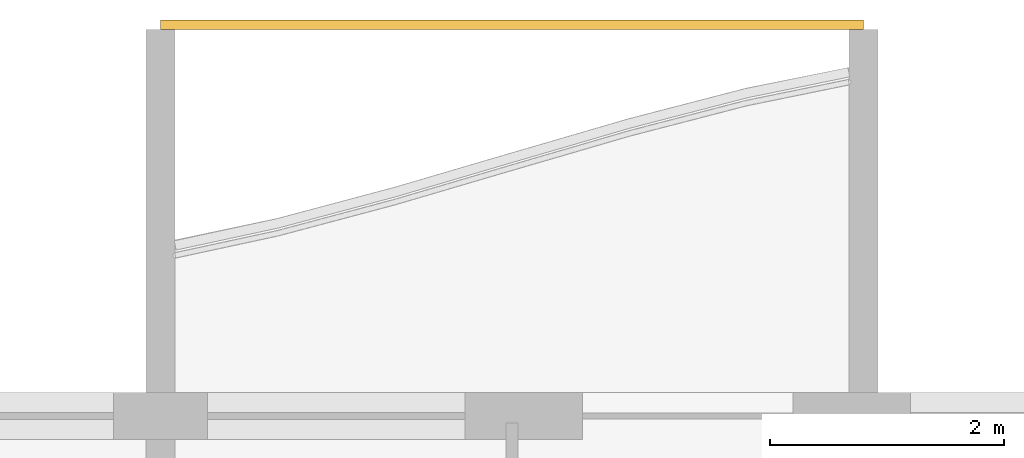
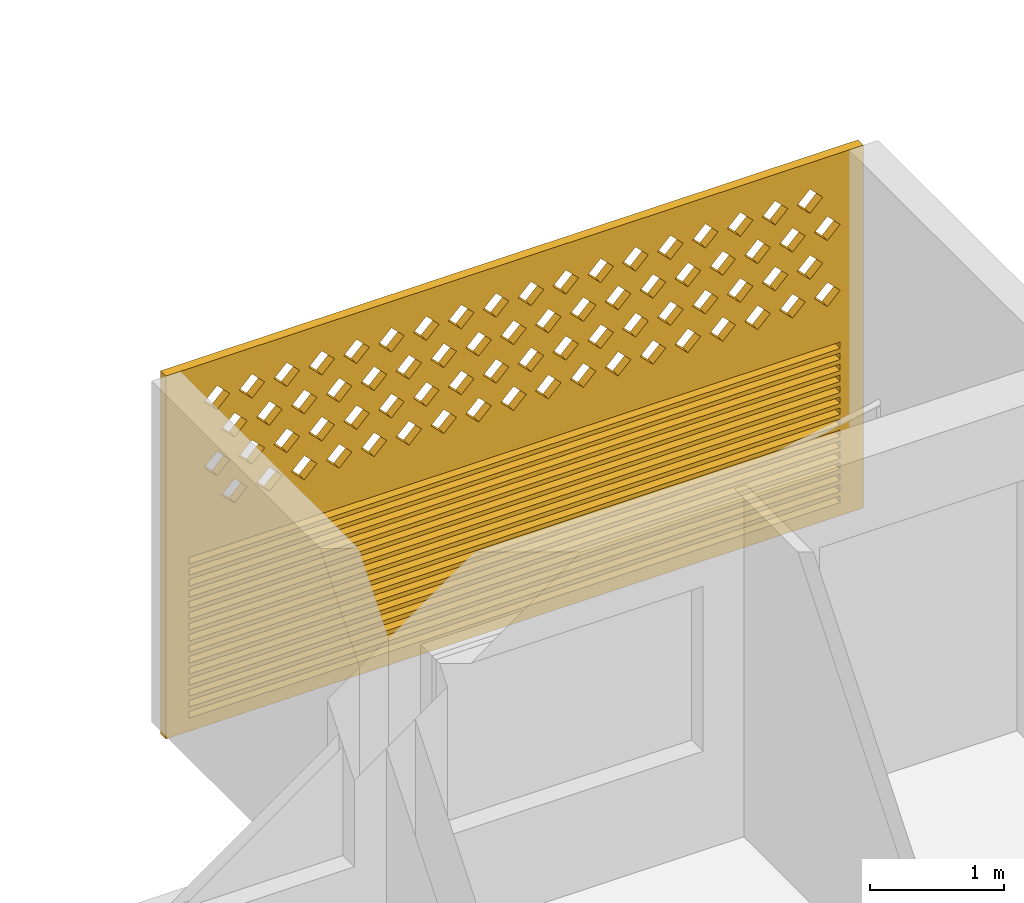
# One storey, part 20 of 26: 1 covering.
"""IFC4 building model written with IfcOpenShell, lengths in metres."""

from ifc_helpers import new_model, si_unit, direction, frame, origin, place, context, subcontext, project, spatial, polyline, outline, extrude, source, transform, mapped, material, material_profile, profile_set, type_object, element, save


model = new_model("IFC4")

# Units and contexts
model_context = context("Model", 3, precision=1e-05, world=origin(), true_north=direction((0.0, 1.0)))
body_context = subcontext(model_context, "Body", "Model", "MODEL_VIEW")
ifc_project = project(units=[si_unit("LENGTHUNIT", "METRE"), si_unit("AREAUNIT", "SQUARE_METRE"), si_unit("VOLUMEUNIT", "CUBIC_METRE"), si_unit("PLANEANGLEUNIT", "RADIAN"), si_unit("MASSUNIT", "GRAM", prefix="KILO")], contexts=[model_context])

# Site, building, storey
site_placement = place(None, origin())
site = spatial("IfcSite", under=ifc_project, at=site_placement, CompositionType="ELEMENT")
building_placement = place(site_placement, origin())
building = spatial("IfcBuilding", under=site, at=building_placement, Name="Poui Terraces", CompositionType="ELEMENT")
storey_placement = place(building_placement, frame((0.0, 0.0, 228.0)))
storey = spatial("IfcBuildingStorey", under=building, at=storey_placement, Name="L63", CompositionType="ELEMENT", Elevation=228.0)

# Covering
ifc_material = material(Name="Terracotta screen", Category="masonry")
ifc_material_profile = material_profile(ifc_material, outline(polyline([(-3.0, -1.64990234375), (3.0, -1.64990234375), (3.0, 1.64990234375), (-3.0, 1.64990234375), (-3.0, -1.64990234375)]), holes=[polyline([(-2.800048828125, 0.39990234375), (-2.68994140625, 0.2900390625), (-2.580078125, 0.39990234375), (-2.68994140625, 0.510009765625), (-2.800048828125, 0.39990234375)]), polyline([(-2.5, 0.39990234375), (-2.389892578125, 0.2900390625), (-2.280029296875, 0.39990234375), (-2.389892578125, 0.510009765625), (-2.5, 0.39990234375)]), polyline([(-2.199951171875, 0.39990234375), (-2.090087890625, 0.2900390625), (-1.97998046875, 0.39990234375), (-2.090087890625, 0.510009765625), (-2.199951171875, 0.39990234375)]), polyline([(-1.89990234375, 0.39990234375), (-1.7900390625, 0.2900390625), (-1.679931640625, 0.39990234375), (-1.7900390625, 0.510009765625), (-1.89990234375, 0.39990234375)]), polyline([(-1.60009765625, 0.39990234375), (-1.489990234375, 0.2900390625), (-1.3798828125, 0.39990234375), (-1.489990234375, 0.510009765625), (-1.60009765625, 0.39990234375)]), polyline([(-1.300048828125, 0.39990234375), (-1.18994140625, 0.2900390625), (-1.080078125, 0.39990234375), (-1.18994140625, 0.510009765625), (-1.300048828125, 0.39990234375)]), polyline([(-1.0, 0.39990234375), (-0.889892578125, 0.2900390625), (-0.780029296875, 0.39990234375), (-0.889892578125, 0.510009765625), (-1.0, 0.39990234375)]), polyline([(-0.699951171875, 0.39990234375), (-0.590087890625, 0.2900390625), (-0.47998046875, 0.39990234375), (-0.590087890625, 0.510009765625), (-0.699951171875, 0.39990234375)]), polyline([(-0.39990234375, 0.39990234375), (-0.2900390625, 0.2900390625), (-0.179931640625, 0.39990234375), (-0.2900390625, 0.510009765625), (-0.39990234375, 0.39990234375)]), polyline([(-0.10009765625, 0.39990234375), (0.010009765625, 0.2900390625), (0.1201171875, 0.39990234375), (0.010009765625, 0.510009765625), (-0.10009765625, 0.39990234375)]), polyline([(0.199951171875, 0.39990234375), (0.31005859375, 0.2900390625), (0.419921875, 0.39990234375), (0.31005859375, 0.510009765625), (0.199951171875, 0.39990234375)]), polyline([(0.5, 0.39990234375), (0.610107421875, 0.2900390625), (0.719970703125, 0.39990234375), (0.610107421875, 0.510009765625), (0.5, 0.39990234375)]), polyline([(0.800048828125, 0.39990234375), (0.909912109375, 0.2900390625), (1.02001953125, 0.39990234375), (0.909912109375, 0.510009765625), (0.800048828125, 0.39990234375)]), polyline([(1.10009765625, 0.39990234375), (1.2099609375, 0.2900390625), (1.320068359375, 0.39990234375), (1.2099609375, 0.510009765625), (1.10009765625, 0.39990234375)]), polyline([(1.39990234375, 0.39990234375), (1.510009765625, 0.2900390625), (1.6201171875, 0.39990234375), (1.510009765625, 0.510009765625), (1.39990234375, 0.39990234375)]), polyline([(1.699951171875, 0.39990234375), (1.81005859375, 0.2900390625), (1.919921875, 0.39990234375), (1.81005859375, 0.510009765625), (1.699951171875, 0.39990234375)]), polyline([(2.0, 0.39990234375), (2.110107421875, 0.2900390625), (2.219970703125, 0.39990234375), (2.110107421875, 0.510009765625), (2.0, 0.39990234375)]), polyline([(2.300048828125, 0.39990234375), (2.409912109375, 0.2900390625), (2.52001953125, 0.39990234375), (2.409912109375, 0.510009765625), (2.300048828125, 0.39990234375)]), polyline([(-2.64990234375, 0.699951171875), (-2.5400390625, 0.590087890625), (-2.429931640625, 0.699951171875), (-2.5400390625, 0.81005859375), (-2.64990234375, 0.699951171875)]), polyline([(-2.35009765625, 0.699951171875), (-2.239990234375, 0.590087890625), (-2.1298828125, 0.699951171875), (-2.239990234375, 0.81005859375), (-2.35009765625, 0.699951171875)]), polyline([(-2.050048828125, 0.699951171875), (-1.93994140625, 0.590087890625), (-1.830078125, 0.699951171875), (-1.93994140625, 0.81005859375), (-2.050048828125, 0.699951171875)]), polyline([(-1.75, 0.699951171875), (-1.639892578125, 0.590087890625), (-1.530029296875, 0.699951171875), (-1.639892578125, 0.81005859375), (-1.75, 0.699951171875)]), polyline([(-1.449951171875, 0.699951171875), (-1.340087890625, 0.590087890625), (-1.22998046875, 0.699951171875), (-1.340087890625, 0.81005859375), (-1.449951171875, 0.699951171875)]), polyline([(-1.14990234375, 0.699951171875), (-1.0400390625, 0.590087890625), (-0.929931640625, 0.699951171875), (-1.0400390625, 0.81005859375), (-1.14990234375, 0.699951171875)]), polyline([(-0.85009765625, 0.699951171875), (-0.739990234375, 0.590087890625), (-0.6298828125, 0.699951171875), (-0.739990234375, 0.81005859375), (-0.85009765625, 0.699951171875)]), polyline([(-0.550048828125, 0.699951171875), (-0.43994140625, 0.590087890625), (-0.330078125, 0.699951171875), (-0.43994140625, 0.81005859375), (-0.550048828125, 0.699951171875)]), polyline([(-0.25, 0.699951171875), (-0.139892578125, 0.590087890625), (-0.030029296875, 0.699951171875), (-0.139892578125, 0.81005859375), (-0.25, 0.699951171875)]), polyline([(0.050048828125, 0.699951171875), (0.159912109375, 0.590087890625), (0.27001953125, 0.699951171875), (0.159912109375, 0.81005859375), (0.050048828125, 0.699951171875)]), polyline([(0.35009765625, 0.699951171875), (0.4599609375, 0.590087890625), (0.570068359375, 0.699951171875), (0.4599609375, 0.81005859375), (0.35009765625, 0.699951171875)]), polyline([(0.64990234375, 0.699951171875), (0.760009765625, 0.590087890625), (0.8701171875, 0.699951171875), (0.760009765625, 0.81005859375), (0.64990234375, 0.699951171875)]), polyline([(0.949951171875, 0.699951171875), (1.06005859375, 0.590087890625), (1.169921875, 0.699951171875), (1.06005859375, 0.81005859375), (0.949951171875, 0.699951171875)]), polyline([(1.25, 0.699951171875), (1.360107421875, 0.590087890625), (1.469970703125, 0.699951171875), (1.360107421875, 0.81005859375), (1.25, 0.699951171875)]), polyline([(1.550048828125, 0.699951171875), (1.659912109375, 0.590087890625), (1.77001953125, 0.699951171875), (1.659912109375, 0.81005859375), (1.550048828125, 0.699951171875)]), polyline([(1.85009765625, 0.699951171875), (1.9599609375, 0.590087890625), (2.070068359375, 0.699951171875), (1.9599609375, 0.81005859375), (1.85009765625, 0.699951171875)]), polyline([(2.14990234375, 0.699951171875), (2.260009765625, 0.590087890625), (2.3701171875, 0.699951171875), (2.260009765625, 0.81005859375), (2.14990234375, 0.699951171875)]), polyline([(2.449951171875, 0.699951171875), (2.56005859375, 0.590087890625), (2.669921875, 0.699951171875), (2.56005859375, 0.81005859375), (2.449951171875, 0.699951171875)]), polyline([(-2.800048828125, 1.0), (-2.68994140625, 0.889892578125), (-2.580078125, 1.0), (-2.68994140625, 1.110107421875), (-2.800048828125, 1.0)]), polyline([(-2.5, 1.0), (-2.389892578125, 0.889892578125), (-2.280029296875, 1.0), (-2.389892578125, 1.110107421875), (-2.5, 1.0)]), polyline([(-2.199951171875, 1.0), (-2.090087890625, 0.889892578125), (-1.97998046875, 1.0), (-2.090087890625, 1.110107421875), (-2.199951171875, 1.0)]), polyline([(-1.89990234375, 1.0), (-1.7900390625, 0.889892578125), (-1.679931640625, 1.0), (-1.7900390625, 1.110107421875), (-1.89990234375, 1.0)]), polyline([(-1.60009765625, 1.0), (-1.489990234375, 0.889892578125), (-1.3798828125, 1.0), (-1.489990234375, 1.110107421875), (-1.60009765625, 1.0)]), polyline([(-1.300048828125, 1.0), (-1.18994140625, 0.889892578125), (-1.080078125, 1.0), (-1.18994140625, 1.110107421875), (-1.300048828125, 1.0)]), polyline([(-1.0, 1.0), (-0.889892578125, 0.889892578125), (-0.780029296875, 1.0), (-0.889892578125, 1.110107421875), (-1.0, 1.0)]), polyline([(-0.699951171875, 1.0), (-0.590087890625, 0.889892578125), (-0.47998046875, 1.0), (-0.590087890625, 1.110107421875), (-0.699951171875, 1.0)]), polyline([(-0.39990234375, 1.0), (-0.2900390625, 0.889892578125), (-0.179931640625, 1.0), (-0.2900390625, 1.110107421875), (-0.39990234375, 1.0)]), polyline([(-0.10009765625, 1.0), (0.010009765625, 0.889892578125), (0.1201171875, 1.0), (0.010009765625, 1.110107421875), (-0.10009765625, 1.0)]), polyline([(0.199951171875, 1.0), (0.31005859375, 0.889892578125), (0.419921875, 1.0), (0.31005859375, 1.110107421875), (0.199951171875, 1.0)]), polyline([(0.5, 1.0), (0.610107421875, 0.889892578125), (0.719970703125, 1.0), (0.610107421875, 1.110107421875), (0.5, 1.0)]), polyline([(0.800048828125, 1.0), (0.909912109375, 0.889892578125), (1.02001953125, 1.0), (0.909912109375, 1.110107421875), (0.800048828125, 1.0)]), polyline([(1.10009765625, 1.0), (1.2099609375, 0.889892578125), (1.320068359375, 1.0), (1.2099609375, 1.110107421875), (1.10009765625, 1.0)]), polyline([(1.39990234375, 1.0), (1.510009765625, 0.889892578125), (1.6201171875, 1.0), (1.510009765625, 1.110107421875), (1.39990234375, 1.0)]), polyline([(1.699951171875, 1.0), (1.81005859375, 0.889892578125), (1.919921875, 1.0), (1.81005859375, 1.110107421875), (1.699951171875, 1.0)]), polyline([(2.0, 1.0), (2.110107421875, 0.889892578125), (2.219970703125, 1.0), (2.110107421875, 1.110107421875), (2.0, 1.0)]), polyline([(2.300048828125, 1.0), (2.409912109375, 0.889892578125), (2.52001953125, 1.0), (2.409912109375, 1.110107421875), (2.300048828125, 1.0)]), polyline([(-2.64990234375, 1.300048828125), (-2.5400390625, 1.18994140625), (-2.429931640625, 1.300048828125), (-2.5400390625, 1.409912109375), (-2.64990234375, 1.300048828125)]), polyline([(-2.35009765625, 1.300048828125), (-2.239990234375, 1.18994140625), (-2.1298828125, 1.300048828125), (-2.239990234375, 1.409912109375), (-2.35009765625, 1.300048828125)]), polyline([(-2.050048828125, 1.300048828125), (-1.93994140625, 1.18994140625), (-1.830078125, 1.300048828125), (-1.93994140625, 1.409912109375), (-2.050048828125, 1.300048828125)]), polyline([(-1.75, 1.300048828125), (-1.639892578125, 1.18994140625), (-1.530029296875, 1.300048828125), (-1.639892578125, 1.409912109375), (-1.75, 1.300048828125)]), polyline([(-1.449951171875, 1.300048828125), (-1.340087890625, 1.18994140625), (-1.22998046875, 1.300048828125), (-1.340087890625, 1.409912109375), (-1.449951171875, 1.300048828125)]), polyline([(-1.14990234375, 1.300048828125), (-1.0400390625, 1.18994140625), (-0.929931640625, 1.300048828125), (-1.0400390625, 1.409912109375), (-1.14990234375, 1.300048828125)]), polyline([(-0.85009765625, 1.300048828125), (-0.739990234375, 1.18994140625), (-0.6298828125, 1.300048828125), (-0.739990234375, 1.409912109375), (-0.85009765625, 1.300048828125)]), polyline([(-0.550048828125, 1.300048828125), (-0.43994140625, 1.18994140625), (-0.330078125, 1.300048828125), (-0.43994140625, 1.409912109375), (-0.550048828125, 1.300048828125)]), polyline([(-0.25, 1.300048828125), (-0.139892578125, 1.18994140625), (-0.030029296875, 1.300048828125), (-0.139892578125, 1.409912109375), (-0.25, 1.300048828125)]), polyline([(0.050048828125, 1.300048828125), (0.159912109375, 1.18994140625), (0.27001953125, 1.300048828125), (0.159912109375, 1.409912109375), (0.050048828125, 1.300048828125)]), polyline([(0.35009765625, 1.300048828125), (0.4599609375, 1.18994140625), (0.570068359375, 1.300048828125), (0.4599609375, 1.409912109375), (0.35009765625, 1.300048828125)]), polyline([(0.64990234375, 1.300048828125), (0.760009765625, 1.18994140625), (0.8701171875, 1.300048828125), (0.760009765625, 1.409912109375), (0.64990234375, 1.300048828125)]), polyline([(0.949951171875, 1.300048828125), (1.06005859375, 1.18994140625), (1.169921875, 1.300048828125), (1.06005859375, 1.409912109375), (0.949951171875, 1.300048828125)]), polyline([(1.25, 1.300048828125), (1.360107421875, 1.18994140625), (1.469970703125, 1.300048828125), (1.360107421875, 1.409912109375), (1.25, 1.300048828125)]), polyline([(1.550048828125, 1.300048828125), (1.659912109375, 1.18994140625), (1.77001953125, 1.300048828125), (1.659912109375, 1.409912109375), (1.550048828125, 1.300048828125)]), polyline([(1.85009765625, 1.300048828125), (1.9599609375, 1.18994140625), (2.070068359375, 1.300048828125), (1.9599609375, 1.409912109375), (1.85009765625, 1.300048828125)]), polyline([(2.14990234375, 1.300048828125), (2.260009765625, 1.18994140625), (2.3701171875, 1.300048828125), (2.260009765625, 1.409912109375), (2.14990234375, 1.300048828125)]), polyline([(2.449951171875, 1.300048828125), (2.56005859375, 1.18994140625), (2.669921875, 1.300048828125), (2.56005859375, 1.409912109375), (2.449951171875, 1.300048828125)]), polyline([(-2.800048828125, -1.530029296875), (2.800048828125, -1.530029296875), (2.800048828125, -1.469970703125), (-2.800048828125, -1.469970703125), (-2.800048828125, -1.530029296875)]), polyline([(-2.800048828125, -1.429931640625), (2.800048828125, -1.429931640625), (2.800048828125, -1.3701171875), (-2.800048828125, -1.3701171875), (-2.800048828125, -1.429931640625)]), polyline([(-2.800048828125, -1.330078125), (2.800048828125, -1.330078125), (2.800048828125, -1.27001953125), (-2.800048828125, -1.27001953125), (-2.800048828125, -1.330078125)]), polyline([(-2.800048828125, -1.22998046875), (2.800048828125, -1.22998046875), (2.800048828125, -1.169921875), (-2.800048828125, -1.169921875), (-2.800048828125, -1.22998046875)]), polyline([(-2.800048828125, -1.1298828125), (2.800048828125, -1.1298828125), (2.800048828125, -1.070068359375), (-2.800048828125, -1.070068359375), (-2.800048828125, -1.1298828125)]), polyline([(-2.800048828125, -1.030029296875), (2.800048828125, -1.030029296875), (2.800048828125, -0.969970703125), (-2.800048828125, -0.969970703125), (-2.800048828125, -1.030029296875)]), polyline([(-2.800048828125, -0.929931640625), (2.800048828125, -0.929931640625), (2.800048828125, -0.8701171875), (-2.800048828125, -0.8701171875), (-2.800048828125, -0.929931640625)]), polyline([(-2.800048828125, -0.830078125), (2.800048828125, -0.830078125), (2.800048828125, -0.77001953125), (-2.800048828125, -0.77001953125), (-2.800048828125, -0.830078125)]), polyline([(-2.800048828125, -0.72998046875), (2.800048828125, -0.72998046875), (2.800048828125, -0.669921875), (-2.800048828125, -0.669921875), (-2.800048828125, -0.72998046875)]), polyline([(-2.800048828125, -0.6298828125), (2.800048828125, -0.6298828125), (2.800048828125, -0.570068359375), (-2.800048828125, -0.570068359375), (-2.800048828125, -0.6298828125)]), polyline([(-2.800048828125, -0.530029296875), (2.800048828125, -0.530029296875), (2.800048828125, -0.469970703125), (-2.800048828125, -0.469970703125), (-2.800048828125, -0.530029296875)]), polyline([(-2.800048828125, -0.429931640625), (2.800048828125, -0.429931640625), (2.800048828125, -0.3701171875), (-2.800048828125, -0.3701171875), (-2.800048828125, -0.429931640625)]), polyline([(-2.800048828125, -0.330078125), (2.800048828125, -0.330078125), (2.800048828125, -0.27001953125), (-2.800048828125, -0.27001953125), (-2.800048828125, -0.330078125)]), polyline([(-2.800048828125, -0.22998046875), (2.800048828125, -0.22998046875), (2.800048828125, -0.169921875), (-2.800048828125, -0.169921875), (-2.800048828125, -0.22998046875)]), polyline([(-2.800048828125, -0.1298828125), (2.800048828125, -0.1298828125), (2.800048828125, -0.070068359375), (-2.800048828125, -0.070068359375), (-2.800048828125, -0.1298828125)])]), Name="TERRACOTTA SCREEN AND JALOUSIE LOUVRE 6000X3300")
ifc_profile_set = profile_set([ifc_material_profile], Name="Terracotta screen")
covering_type = type_object("IfcCoveringType", Name="TERRACOTTA SCREEN AND JALOUSIE LOUVRE 6000X3300", PredefinedType="CLADDING", material=ifc_profile_set)
shared_shape = source(origin(), body_context, "Body", "SweptSolid", [
    extrude(outline(polyline([(-3.0, -1.64990234375), (3.0, -1.64990234375), (3.0, 1.64990234375), (-3.0, 1.64990234375), (-3.0, -1.64990234375)]), holes=[polyline([(-2.800048828125, 0.39990234375), (-2.68994140625, 0.2900390625), (-2.580078125, 0.39990234375), (-2.68994140625, 0.510009765625), (-2.800048828125, 0.39990234375)]), polyline([(-2.5, 0.39990234375), (-2.389892578125, 0.2900390625), (-2.280029296875, 0.39990234375), (-2.389892578125, 0.510009765625), (-2.5, 0.39990234375)]), polyline([(-2.199951171875, 0.39990234375), (-2.090087890625, 0.2900390625), (-1.97998046875, 0.39990234375), (-2.090087890625, 0.510009765625), (-2.199951171875, 0.39990234375)]), polyline([(-1.89990234375, 0.39990234375), (-1.7900390625, 0.2900390625), (-1.679931640625, 0.39990234375), (-1.7900390625, 0.510009765625), (-1.89990234375, 0.39990234375)]), polyline([(-1.60009765625, 0.39990234375), (-1.489990234375, 0.2900390625), (-1.3798828125, 0.39990234375), (-1.489990234375, 0.510009765625), (-1.60009765625, 0.39990234375)]), polyline([(-1.300048828125, 0.39990234375), (-1.18994140625, 0.2900390625), (-1.080078125, 0.39990234375), (-1.18994140625, 0.510009765625), (-1.300048828125, 0.39990234375)]), polyline([(-1.0, 0.39990234375), (-0.889892578125, 0.2900390625), (-0.780029296875, 0.39990234375), (-0.889892578125, 0.510009765625), (-1.0, 0.39990234375)]), polyline([(-0.699951171875, 0.39990234375), (-0.590087890625, 0.2900390625), (-0.47998046875, 0.39990234375), (-0.590087890625, 0.510009765625), (-0.699951171875, 0.39990234375)]), polyline([(-0.39990234375, 0.39990234375), (-0.2900390625, 0.2900390625), (-0.179931640625, 0.39990234375), (-0.2900390625, 0.510009765625), (-0.39990234375, 0.39990234375)]), polyline([(-0.10009765625, 0.39990234375), (0.010009765625, 0.2900390625), (0.1201171875, 0.39990234375), (0.010009765625, 0.510009765625), (-0.10009765625, 0.39990234375)]), polyline([(0.199951171875, 0.39990234375), (0.31005859375, 0.2900390625), (0.419921875, 0.39990234375), (0.31005859375, 0.510009765625), (0.199951171875, 0.39990234375)]), polyline([(0.5, 0.39990234375), (0.610107421875, 0.2900390625), (0.719970703125, 0.39990234375), (0.610107421875, 0.510009765625), (0.5, 0.39990234375)]), polyline([(0.800048828125, 0.39990234375), (0.909912109375, 0.2900390625), (1.02001953125, 0.39990234375), (0.909912109375, 0.510009765625), (0.800048828125, 0.39990234375)]), polyline([(1.10009765625, 0.39990234375), (1.2099609375, 0.2900390625), (1.320068359375, 0.39990234375), (1.2099609375, 0.510009765625), (1.10009765625, 0.39990234375)]), polyline([(1.39990234375, 0.39990234375), (1.510009765625, 0.2900390625), (1.6201171875, 0.39990234375), (1.510009765625, 0.510009765625), (1.39990234375, 0.39990234375)]), polyline([(1.699951171875, 0.39990234375), (1.81005859375, 0.2900390625), (1.919921875, 0.39990234375), (1.81005859375, 0.510009765625), (1.699951171875, 0.39990234375)]), polyline([(2.0, 0.39990234375), (2.110107421875, 0.2900390625), (2.219970703125, 0.39990234375), (2.110107421875, 0.510009765625), (2.0, 0.39990234375)]), polyline([(2.300048828125, 0.39990234375), (2.409912109375, 0.2900390625), (2.52001953125, 0.39990234375), (2.409912109375, 0.510009765625), (2.300048828125, 0.39990234375)]), polyline([(-2.64990234375, 0.699951171875), (-2.5400390625, 0.590087890625), (-2.429931640625, 0.699951171875), (-2.5400390625, 0.81005859375), (-2.64990234375, 0.699951171875)]), polyline([(-2.35009765625, 0.699951171875), (-2.239990234375, 0.590087890625), (-2.1298828125, 0.699951171875), (-2.239990234375, 0.81005859375), (-2.35009765625, 0.699951171875)]), polyline([(-2.050048828125, 0.699951171875), (-1.93994140625, 0.590087890625), (-1.830078125, 0.699951171875), (-1.93994140625, 0.81005859375), (-2.050048828125, 0.699951171875)]), polyline([(-1.75, 0.699951171875), (-1.639892578125, 0.590087890625), (-1.530029296875, 0.699951171875), (-1.639892578125, 0.81005859375), (-1.75, 0.699951171875)]), polyline([(-1.449951171875, 0.699951171875), (-1.340087890625, 0.590087890625), (-1.22998046875, 0.699951171875), (-1.340087890625, 0.81005859375), (-1.449951171875, 0.699951171875)]), polyline([(-1.14990234375, 0.699951171875), (-1.0400390625, 0.590087890625), (-0.929931640625, 0.699951171875), (-1.0400390625, 0.81005859375), (-1.14990234375, 0.699951171875)]), polyline([(-0.85009765625, 0.699951171875), (-0.739990234375, 0.590087890625), (-0.6298828125, 0.699951171875), (-0.739990234375, 0.81005859375), (-0.85009765625, 0.699951171875)]), polyline([(-0.550048828125, 0.699951171875), (-0.43994140625, 0.590087890625), (-0.330078125, 0.699951171875), (-0.43994140625, 0.81005859375), (-0.550048828125, 0.699951171875)]), polyline([(-0.25, 0.699951171875), (-0.139892578125, 0.590087890625), (-0.030029296875, 0.699951171875), (-0.139892578125, 0.81005859375), (-0.25, 0.699951171875)]), polyline([(0.050048828125, 0.699951171875), (0.159912109375, 0.590087890625), (0.27001953125, 0.699951171875), (0.159912109375, 0.81005859375), (0.050048828125, 0.699951171875)]), polyline([(0.35009765625, 0.699951171875), (0.4599609375, 0.590087890625), (0.570068359375, 0.699951171875), (0.4599609375, 0.81005859375), (0.35009765625, 0.699951171875)]), polyline([(0.64990234375, 0.699951171875), (0.760009765625, 0.590087890625), (0.8701171875, 0.699951171875), (0.760009765625, 0.81005859375), (0.64990234375, 0.699951171875)]), polyline([(0.949951171875, 0.699951171875), (1.06005859375, 0.590087890625), (1.169921875, 0.699951171875), (1.06005859375, 0.81005859375), (0.949951171875, 0.699951171875)]), polyline([(1.25, 0.699951171875), (1.360107421875, 0.590087890625), (1.469970703125, 0.699951171875), (1.360107421875, 0.81005859375), (1.25, 0.699951171875)]), polyline([(1.550048828125, 0.699951171875), (1.659912109375, 0.590087890625), (1.77001953125, 0.699951171875), (1.659912109375, 0.81005859375), (1.550048828125, 0.699951171875)]), polyline([(1.85009765625, 0.699951171875), (1.9599609375, 0.590087890625), (2.070068359375, 0.699951171875), (1.9599609375, 0.81005859375), (1.85009765625, 0.699951171875)]), polyline([(2.14990234375, 0.699951171875), (2.260009765625, 0.590087890625), (2.3701171875, 0.699951171875), (2.260009765625, 0.81005859375), (2.14990234375, 0.699951171875)]), polyline([(2.449951171875, 0.699951171875), (2.56005859375, 0.590087890625), (2.669921875, 0.699951171875), (2.56005859375, 0.81005859375), (2.449951171875, 0.699951171875)]), polyline([(-2.800048828125, 1.0), (-2.68994140625, 0.889892578125), (-2.580078125, 1.0), (-2.68994140625, 1.110107421875), (-2.800048828125, 1.0)]), polyline([(-2.5, 1.0), (-2.389892578125, 0.889892578125), (-2.280029296875, 1.0), (-2.389892578125, 1.110107421875), (-2.5, 1.0)]), polyline([(-2.199951171875, 1.0), (-2.090087890625, 0.889892578125), (-1.97998046875, 1.0), (-2.090087890625, 1.110107421875), (-2.199951171875, 1.0)]), polyline([(-1.89990234375, 1.0), (-1.7900390625, 0.889892578125), (-1.679931640625, 1.0), (-1.7900390625, 1.110107421875), (-1.89990234375, 1.0)]), polyline([(-1.60009765625, 1.0), (-1.489990234375, 0.889892578125), (-1.3798828125, 1.0), (-1.489990234375, 1.110107421875), (-1.60009765625, 1.0)]), polyline([(-1.300048828125, 1.0), (-1.18994140625, 0.889892578125), (-1.080078125, 1.0), (-1.18994140625, 1.110107421875), (-1.300048828125, 1.0)]), polyline([(-1.0, 1.0), (-0.889892578125, 0.889892578125), (-0.780029296875, 1.0), (-0.889892578125, 1.110107421875), (-1.0, 1.0)]), polyline([(-0.699951171875, 1.0), (-0.590087890625, 0.889892578125), (-0.47998046875, 1.0), (-0.590087890625, 1.110107421875), (-0.699951171875, 1.0)]), polyline([(-0.39990234375, 1.0), (-0.2900390625, 0.889892578125), (-0.179931640625, 1.0), (-0.2900390625, 1.110107421875), (-0.39990234375, 1.0)]), polyline([(-0.10009765625, 1.0), (0.010009765625, 0.889892578125), (0.1201171875, 1.0), (0.010009765625, 1.110107421875), (-0.10009765625, 1.0)]), polyline([(0.199951171875, 1.0), (0.31005859375, 0.889892578125), (0.419921875, 1.0), (0.31005859375, 1.110107421875), (0.199951171875, 1.0)]), polyline([(0.5, 1.0), (0.610107421875, 0.889892578125), (0.719970703125, 1.0), (0.610107421875, 1.110107421875), (0.5, 1.0)]), polyline([(0.800048828125, 1.0), (0.909912109375, 0.889892578125), (1.02001953125, 1.0), (0.909912109375, 1.110107421875), (0.800048828125, 1.0)]), polyline([(1.10009765625, 1.0), (1.2099609375, 0.889892578125), (1.320068359375, 1.0), (1.2099609375, 1.110107421875), (1.10009765625, 1.0)]), polyline([(1.39990234375, 1.0), (1.510009765625, 0.889892578125), (1.6201171875, 1.0), (1.510009765625, 1.110107421875), (1.39990234375, 1.0)]), polyline([(1.699951171875, 1.0), (1.81005859375, 0.889892578125), (1.919921875, 1.0), (1.81005859375, 1.110107421875), (1.699951171875, 1.0)]), polyline([(2.0, 1.0), (2.110107421875, 0.889892578125), (2.219970703125, 1.0), (2.110107421875, 1.110107421875), (2.0, 1.0)]), polyline([(2.300048828125, 1.0), (2.409912109375, 0.889892578125), (2.52001953125, 1.0), (2.409912109375, 1.110107421875), (2.300048828125, 1.0)]), polyline([(-2.64990234375, 1.300048828125), (-2.5400390625, 1.18994140625), (-2.429931640625, 1.300048828125), (-2.5400390625, 1.409912109375), (-2.64990234375, 1.300048828125)]), polyline([(-2.35009765625, 1.300048828125), (-2.239990234375, 1.18994140625), (-2.1298828125, 1.300048828125), (-2.239990234375, 1.409912109375), (-2.35009765625, 1.300048828125)]), polyline([(-2.050048828125, 1.300048828125), (-1.93994140625, 1.18994140625), (-1.830078125, 1.300048828125), (-1.93994140625, 1.409912109375), (-2.050048828125, 1.300048828125)]), polyline([(-1.75, 1.300048828125), (-1.639892578125, 1.18994140625), (-1.530029296875, 1.300048828125), (-1.639892578125, 1.409912109375), (-1.75, 1.300048828125)]), polyline([(-1.449951171875, 1.300048828125), (-1.340087890625, 1.18994140625), (-1.22998046875, 1.300048828125), (-1.340087890625, 1.409912109375), (-1.449951171875, 1.300048828125)]), polyline([(-1.14990234375, 1.300048828125), (-1.0400390625, 1.18994140625), (-0.929931640625, 1.300048828125), (-1.0400390625, 1.409912109375), (-1.14990234375, 1.300048828125)]), polyline([(-0.85009765625, 1.300048828125), (-0.739990234375, 1.18994140625), (-0.6298828125, 1.300048828125), (-0.739990234375, 1.409912109375), (-0.85009765625, 1.300048828125)]), polyline([(-0.550048828125, 1.300048828125), (-0.43994140625, 1.18994140625), (-0.330078125, 1.300048828125), (-0.43994140625, 1.409912109375), (-0.550048828125, 1.300048828125)]), polyline([(-0.25, 1.300048828125), (-0.139892578125, 1.18994140625), (-0.030029296875, 1.300048828125), (-0.139892578125, 1.409912109375), (-0.25, 1.300048828125)]), polyline([(0.050048828125, 1.300048828125), (0.159912109375, 1.18994140625), (0.27001953125, 1.300048828125), (0.159912109375, 1.409912109375), (0.050048828125, 1.300048828125)]), polyline([(0.35009765625, 1.300048828125), (0.4599609375, 1.18994140625), (0.570068359375, 1.300048828125), (0.4599609375, 1.409912109375), (0.35009765625, 1.300048828125)]), polyline([(0.64990234375, 1.300048828125), (0.760009765625, 1.18994140625), (0.8701171875, 1.300048828125), (0.760009765625, 1.409912109375), (0.64990234375, 1.300048828125)]), polyline([(0.949951171875, 1.300048828125), (1.06005859375, 1.18994140625), (1.169921875, 1.300048828125), (1.06005859375, 1.409912109375), (0.949951171875, 1.300048828125)]), polyline([(1.25, 1.300048828125), (1.360107421875, 1.18994140625), (1.469970703125, 1.300048828125), (1.360107421875, 1.409912109375), (1.25, 1.300048828125)]), polyline([(1.550048828125, 1.300048828125), (1.659912109375, 1.18994140625), (1.77001953125, 1.300048828125), (1.659912109375, 1.409912109375), (1.550048828125, 1.300048828125)]), polyline([(1.85009765625, 1.300048828125), (1.9599609375, 1.18994140625), (2.070068359375, 1.300048828125), (1.9599609375, 1.409912109375), (1.85009765625, 1.300048828125)]), polyline([(2.14990234375, 1.300048828125), (2.260009765625, 1.18994140625), (2.3701171875, 1.300048828125), (2.260009765625, 1.409912109375), (2.14990234375, 1.300048828125)]), polyline([(2.449951171875, 1.300048828125), (2.56005859375, 1.18994140625), (2.669921875, 1.300048828125), (2.56005859375, 1.409912109375), (2.449951171875, 1.300048828125)]), polyline([(-2.800048828125, -1.530029296875), (2.800048828125, -1.530029296875), (2.800048828125, -1.469970703125), (-2.800048828125, -1.469970703125), (-2.800048828125, -1.530029296875)]), polyline([(-2.800048828125, -1.429931640625), (2.800048828125, -1.429931640625), (2.800048828125, -1.3701171875), (-2.800048828125, -1.3701171875), (-2.800048828125, -1.429931640625)]), polyline([(-2.800048828125, -1.330078125), (2.800048828125, -1.330078125), (2.800048828125, -1.27001953125), (-2.800048828125, -1.27001953125), (-2.800048828125, -1.330078125)]), polyline([(-2.800048828125, -1.22998046875), (2.800048828125, -1.22998046875), (2.800048828125, -1.169921875), (-2.800048828125, -1.169921875), (-2.800048828125, -1.22998046875)]), polyline([(-2.800048828125, -1.1298828125), (2.800048828125, -1.1298828125), (2.800048828125, -1.070068359375), (-2.800048828125, -1.070068359375), (-2.800048828125, -1.1298828125)]), polyline([(-2.800048828125, -1.030029296875), (2.800048828125, -1.030029296875), (2.800048828125, -0.969970703125), (-2.800048828125, -0.969970703125), (-2.800048828125, -1.030029296875)]), polyline([(-2.800048828125, -0.929931640625), (2.800048828125, -0.929931640625), (2.800048828125, -0.8701171875), (-2.800048828125, -0.8701171875), (-2.800048828125, -0.929931640625)]), polyline([(-2.800048828125, -0.830078125), (2.800048828125, -0.830078125), (2.800048828125, -0.77001953125), (-2.800048828125, -0.77001953125), (-2.800048828125, -0.830078125)]), polyline([(-2.800048828125, -0.72998046875), (2.800048828125, -0.72998046875), (2.800048828125, -0.669921875), (-2.800048828125, -0.669921875), (-2.800048828125, -0.72998046875)]), polyline([(-2.800048828125, -0.6298828125), (2.800048828125, -0.6298828125), (2.800048828125, -0.570068359375), (-2.800048828125, -0.570068359375), (-2.800048828125, -0.6298828125)]), polyline([(-2.800048828125, -0.530029296875), (2.800048828125, -0.530029296875), (2.800048828125, -0.469970703125), (-2.800048828125, -0.469970703125), (-2.800048828125, -0.530029296875)]), polyline([(-2.800048828125, -0.429931640625), (2.800048828125, -0.429931640625), (2.800048828125, -0.3701171875), (-2.800048828125, -0.3701171875), (-2.800048828125, -0.429931640625)]), polyline([(-2.800048828125, -0.330078125), (2.800048828125, -0.330078125), (2.800048828125, -0.27001953125), (-2.800048828125, -0.27001953125), (-2.800048828125, -0.330078125)]), polyline([(-2.800048828125, -0.22998046875), (2.800048828125, -0.22998046875), (2.800048828125, -0.169921875), (-2.800048828125, -0.169921875), (-2.800048828125, -0.22998046875)]), polyline([(-2.800048828125, -0.1298828125), (2.800048828125, -0.1298828125), (2.800048828125, -0.070068359375), (-2.800048828125, -0.070068359375), (-2.800048828125, -0.1298828125)])]), origin(), (0.0, 0.0, 1.0), 0.080078125),
])
covering_placement = place(storey_placement, frame((51.0, 44.5, 1.449951171875), z_axis=(0.0, 1.0, 0.0), x_axis=(-1.0, 0.0, 0.0)))
element("IfcCovering", 1, at=covering_placement, inside=storey, type_object=covering_type, Name="SOLAR SCREEN AND JALOUSIE LOUVRE", PredefinedType="CLADDING", context=body_context, shape_type="MappedRepresentation", body=[
    mapped(shared_shape, transform((0.0, 0.0, 0.0))),
])

save(model, "model.ifc")
